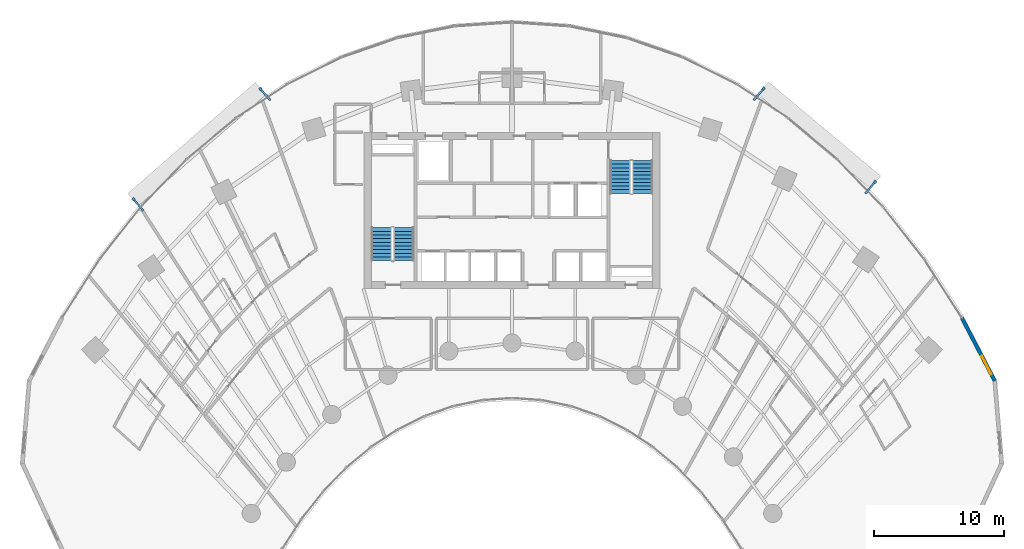
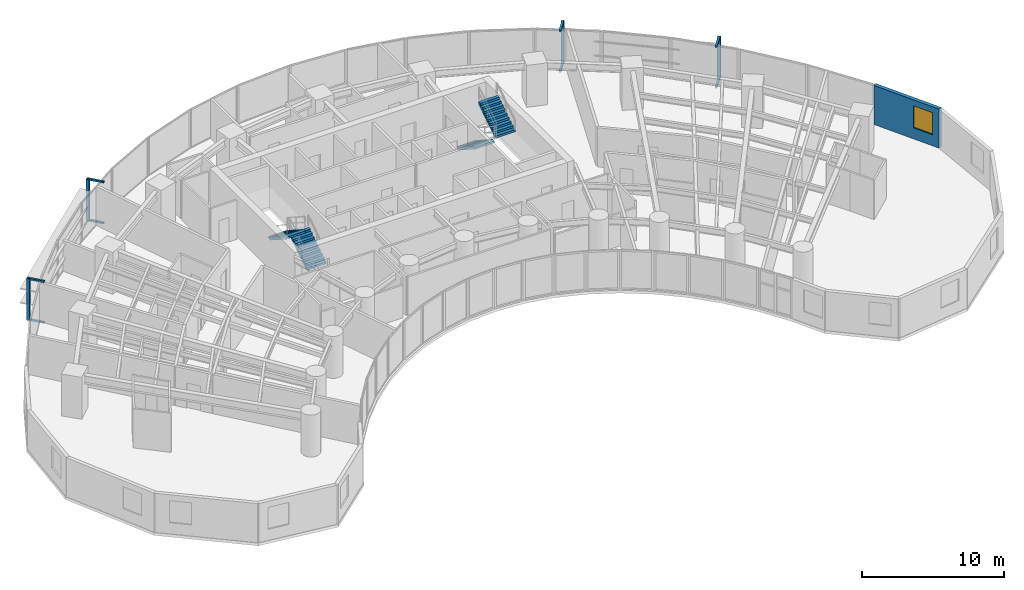
# One storey, part 15 of 17: 12 discrete accessories, 4 stair flights, 1 wall, 1 window, 1 opening, 2 elements without a shape of their own.
"""IFC4 building model written with IfcOpenShell, lengths in metres."""

import ifcopenshell
import ifcopenshell.guid

model = None  # the IFC model being written
_history = None  # IfcOwnerHistory: only IFC2X3 demands one
_inside = {}  # id of a spatial element -> (the spatial element, [elements in it])
_under = {}  # id of a project, library or spatial element -> (it, [spatial elements below it])
_declared = {}  # id of a project -> (the project, [libraries it declares])
_typed = {}  # id of a type object -> (the type object, [elements of that type])
_made_of = {}  # id of a material, layer set ... -> (it, [elements and type objects made of it])


def new_model(schema):
    """Start an empty IFC model of exactly this schema.

    Asked for "IFC4X3", IfcOpenShell would pick the latest addendum, in which some entities
    have other attributes; the version numbers below select the first issue.
    IFC2X3 requires an IfcOwnerHistory on every rooted entity: one is made here for all.
    """
    global model, _history
    if schema == "IFC4X3":
        model = ifcopenshell.file(schema_version=(4, 3, 0, 0))
    else:
        model = ifcopenshell.file(schema=schema)
    _inside.clear()
    _under.clear()
    _declared.clear()
    _typed.clear()
    _made_of.clear()
    _history = None
    if model.schema == "IFC2X3":
        org = make("IfcOrganization", Name="unknown")
        user = make(
            "IfcPersonAndOrganization",
            ThePerson=make("IfcPerson", FamilyName="unknown"),
            TheOrganization=org,
        )
        app = make(
            "IfcApplication",
            ApplicationDeveloper=org,
            Version="unknown",
            ApplicationFullName="unknown",
            ApplicationIdentifier="unknown",
        )
        _history = make(
            "IfcOwnerHistory",
            OwningUser=user,
            OwningApplication=app,
            ChangeAction="ADDED",
            CreationDate=0,
        )
    return model


def make(cls, **values):
    """One entity of the class cls with the attributes given. An attribute that is None is left unset."""
    return model.create_entity(
        cls, **{name: value for name, value in values.items() if value is not None}
    )


def rooted(cls, **values):
    """An entity with a GlobalId (a new one), such as an element, a storey or a relation."""
    return make(cls, GlobalId=ifcopenshell.guid.new(), OwnerHistory=_history, **values)


def si_unit(unit_type, name, prefix=None):
    """IfcSIUnit, for example si_unit("LENGTHUNIT", "METRE", prefix="MILLI")."""
    return make("IfcSIUnit", UnitType=unit_type, Prefix=prefix, Name=name)


def assignment(units):
    """IfcUnitAssignment: the units of a project."""
    return None if units is None else make("IfcUnitAssignment", Units=units)


def point(xyz):
    """IfcCartesianPoint."""
    return None if xyz is None else make("IfcCartesianPoint", Coordinates=xyz)


def direction(xyz):
    """IfcDirection."""
    return None if xyz is None else make("IfcDirection", DirectionRatios=xyz)


def frame(location, z_axis=None, x_axis=None):
    """IfcAxis2Placement3D, a coordinate frame: its origin and axes. An axis left out is left unset."""
    return make(
        "IfcAxis2Placement3D",
        Location=point(location),
        Axis=direction(z_axis),
        RefDirection=direction(x_axis),
    )


def frame_2d(location, x_axis=None):
    """IfcAxis2Placement2D, a coordinate frame in the plane: its origin and x axis."""
    return make(
        "IfcAxis2Placement2D", Location=point(location), RefDirection=direction(x_axis)
    )


def origin():
    """The frame at (0, 0, 0) with its axes left unset."""
    return frame((0.0, 0.0, 0.0))


def origin_2d():
    """The frame at (0, 0) in the plane with its x axis left unset."""
    return frame_2d((0.0, 0.0))


def place(relative_to, where):
    """IfcLocalPlacement: puts the frame where relative to a parent placement (None: the world)."""
    return make(
        "IfcLocalPlacement", PlacementRelTo=relative_to, RelativePlacement=where
    )


def context(
    kind, dimensions, precision=None, world=None, true_north=None, identifier=None
):
    """IfcGeometricRepresentationContext, for example the 3D "Model" context."""
    return make(
        "IfcGeometricRepresentationContext",
        ContextIdentifier=identifier,
        ContextType=kind,
        CoordinateSpaceDimension=dimensions,
        Precision=precision,
        WorldCoordinateSystem=world,
        TrueNorth=true_north,
    )


def subcontext(parent, identifier, kind, view, scale=None):
    """IfcGeometricRepresentationSubContext, for example "Body" below "Model"."""
    return make(
        "IfcGeometricRepresentationSubContext",
        ContextIdentifier=identifier,
        ContextType=kind,
        ParentContext=parent,
        TargetScale=scale,
        TargetView=view,
    )


def project(units=None, contexts=None):
    """IfcProject with its units and contexts."""
    return rooted(
        "IfcProject",
        Name="project",
        RepresentationContexts=contexts,
        UnitsInContext=assignment(units),
    )


def spatial(cls, under=None, at=None, **own):
    """A site, building, storey or space (cls), placed at a placement, below another one or the project."""
    s = rooted(cls, ObjectPlacement=at, **own)
    if under is not None:
        _under.setdefault(under.id(), (under, []))[1].append(s)
    return s


def polyline(points):
    """IfcPolyline through the points."""
    return make("IfcPolyline", Points=[point(p) for p in points])


def profile(cls, at=None, kind="AREA", **sizes):
    """A parametric profile (cls). Its sizes go by their IFC names, for example OverallWidth=200.0."""
    return make(cls, ProfileType=kind, Position=at, **sizes)


def rectangle(**sizes):
    """IfcRectangleProfileDef."""
    return profile("IfcRectangleProfileDef", **sizes)


def outline(outer, holes=None, kind="AREA"):
    """IfcArbitraryClosedProfileDef: a profile drawn as a closed curve; with holes, ...WithVoids."""
    if holes is None:
        return make("IfcArbitraryClosedProfileDef", ProfileType=kind, OuterCurve=outer)
    return make(
        "IfcArbitraryProfileDefWithVoids",
        ProfileType=kind,
        OuterCurve=outer,
        InnerCurves=holes,
    )


def extrude(swept, where, along, depth):
    """IfcExtrudedAreaSolid: the profile swept, set in the frame where, extruded along a direction by depth."""
    return make(
        "IfcExtrudedAreaSolid",
        SweptArea=swept,
        Position=where,
        ExtrudedDirection=direction(along),
        Depth=depth,
    )


def shape(context_of_items, identifier, shape_type, items):
    """IfcShapeRepresentation: the items that make up one representation, for example the "Body"."""
    return make(
        "IfcShapeRepresentation",
        ContextOfItems=context_of_items,
        RepresentationIdentifier=identifier,
        RepresentationType=shape_type,
        Items=items,
    )


def source(mapping_origin, context_of_items, identifier, shape_type, items):
    """IfcRepresentationMap: a shape defined once, which mapped items show again and again."""
    return make(
        "IfcRepresentationMap",
        MappingOrigin=mapping_origin,
        MappedRepresentation=shape(context_of_items, identifier, shape_type, items),
    )


def transform(
    local_origin,
    x_axis=None,
    y_axis=None,
    z_axis=None,
    scale=None,
    scale2=None,
    scale3=None,
    uniform=True,
):
    """IfcCartesianTransformationOperator3D, or its non-uniform kind. x_axis, y_axis, z_axis: its Axis1, 2, 3."""
    if uniform:
        return make(
            "IfcCartesianTransformationOperator3D",
            Axis1=direction(x_axis),
            Axis2=direction(y_axis),
            LocalOrigin=point(local_origin),
            Scale=scale,
            Axis3=direction(z_axis),
        )
    return make(
        "IfcCartesianTransformationOperator3DnonUniform",
        Axis1=direction(x_axis),
        Axis2=direction(y_axis),
        LocalOrigin=point(local_origin),
        Scale=scale,
        Axis3=direction(z_axis),
        Scale2=scale2,
        Scale3=scale3,
    )


def mapped(mapping_source, mapping_target):
    """IfcMappedItem: shows the shape of a source again, moved by a transform."""
    return make(
        "IfcMappedItem", MappingSource=mapping_source, MappingTarget=mapping_target
    )


def material(Name=None, Category=None):
    """IfcMaterial."""
    return make("IfcMaterial", Name=Name, Category=Category)


def layer(
    of_material, thickness, ventilated=None, Name=None, Category=None, Priority=None
):
    """IfcMaterialLayer: one layer of a wall or slab, of a material (None: an air gap)."""
    return make(
        "IfcMaterialLayer",
        Material=of_material,
        LayerThickness=thickness,
        IsVentilated=ventilated,
        Name=Name,
        Category=Category,
        Priority=Priority,
    )


def layer_set(layers, Name=None):
    """IfcMaterialLayerSet."""
    return make("IfcMaterialLayerSet", MaterialLayers=layers, LayerSetName=Name)


def made_of(thing, what):
    """Note that an element or type object is made of a material, layer set ...; save() writes the relation."""
    if what is not None:
        _made_of.setdefault(what.id(), (what, []))[1].append(thing)
    return thing


def type_object(cls, material=None, **own):
    """A type object (cls), such as IfcWallType, which elements share."""
    return made_of(rooted(cls, **own), material)


def type_shapes(of_type, sources):
    """Give a type object the sources (RepresentationMaps) that its elements show as mapped items."""
    of_type.RepresentationMaps = sources


def element(
    cls,
    number,
    at=None,
    inside=None,
    cuts=None,
    type_object=None,
    material=None,
    context=None,
    identifier="Body",
    shape_type=None,
    held_by="IfcProductDefinitionShape",
    body=None,
    shapes=None,
    **own,
):
    """One element of the class cls, such as IfcWall. Its Tag is "e" and its number.

    at: its placement. inside: the storey or other place that contains it. cuts: it is an
    opening in that element (IfcRelVoidsElement). A single representation is given by context,
    identifier, shape_type and body (its items); several are given by shapes. held_by: the class
    of the entity that holds the representations. save() writes the other relations.
    """
    e = rooted(cls, Tag="e%d" % number, ObjectPlacement=at, **own)
    if body is not None:
        shapes = [shape(context, identifier, shape_type, body)]
    if shapes is not None:
        e.Representation = make(held_by, Representations=shapes)
    if inside is not None:
        _inside.setdefault(inside.id(), (inside, []))[1].append(e)
    if cuts is not None:
        rooted(
            "IfcRelVoidsElement", RelatingBuildingElement=cuts, RelatedOpeningElement=e
        )
    if type_object is not None:
        _typed.setdefault(type_object.id(), (type_object, []))[1].append(e)
    return made_of(e, material)


def fill(opening, filler):
    """IfcRelFillsElement: the door or window that sits in an opening."""
    return rooted(
        "IfcRelFillsElement",
        RelatingOpeningElement=opening,
        RelatedBuildingElement=filler,
    )


def aggregate(whole, parts):
    """IfcRelAggregates: a whole, such as a stair, and the parts it consists of."""
    return rooted("IfcRelAggregates", RelatingObject=whole, RelatedObjects=parts)


def save(model, path):
    """Write the relations noted so far, then the file.

    IfcRelAggregates (storeys below a building ...), IfcRelContainedInSpatialStructure (elements
    in a storey), IfcRelDefinesByType, IfcRelAssociatesMaterial and IfcRelDeclares: one each for
    every whole, place, type object, material and project.
    """
    for whole, parts in _under.values():
        aggregate(whole, parts)
    for where, things in _inside.values():
        rooted(
            "IfcRelContainedInSpatialStructure",
            RelatedElements=things,
            RelatingStructure=where,
        )
    for kind, things in _typed.values():
        rooted("IfcRelDefinesByType", RelatedObjects=things, RelatingType=kind)
    for what, things in _made_of.values():
        rooted("IfcRelAssociatesMaterial", RelatedObjects=things, RelatingMaterial=what)
    for by, libraries in _declared.values():
        rooted("IfcRelDeclares", RelatingContext=by, RelatedDefinitions=libraries)
    model.write(path)


model = new_model("IFC4")

# Units and contexts
model_context = context("Model", 3, precision=1e-05, world=origin(), true_north=direction((0.0, 1.0)))
body_context = subcontext(model_context, "Body", "Model", "MODEL_VIEW")
ifc_project = project(units=[si_unit("LENGTHUNIT", "METRE"), si_unit("AREAUNIT", "SQUARE_METRE"), si_unit("VOLUMEUNIT", "CUBIC_METRE"), si_unit("PLANEANGLEUNIT", "RADIAN"), si_unit("MASSUNIT", "GRAM", prefix="KILO")], contexts=[model_context])

# Site, building, storey
site_placement = place(None, origin())
site = spatial("IfcSite", under=ifc_project, at=site_placement, CompositionType="ELEMENT")
building_placement = place(site_placement, origin())
building = spatial("IfcBuilding", under=site, at=building_placement, Name="Breltana Convention Tower", CompositionType="ELEMENT")
storey_placement = place(building_placement, frame((0.0, 0.0, 71.39990234375)))
storey = spatial("IfcBuildingStorey", under=building, at=storey_placement, Name="L16", CompositionType="ELEMENT", Elevation=71.39990234375)

# Wall, opening, window
ifc_material_1 = material(Name="Limestone Buff Insulated Wall", Category="masonry")
ifc_layer = layer(ifc_material_1, 0.280029296875, Name="Limestone Buff Insulated Wall")
ifc_layer_set = layer_set([ifc_layer], Name="Limestone Buff Insulated Wall")
wall_type = type_object("IfcWallType", Name="WL-EXT-NOSE-280", PredefinedType="SOLIDWALL", material=ifc_layer_set)
shared_shape_1 = source(origin(), body_context, "Body", "SweptSolid", [
    extrude(rectangle(XDim=5.45947265625, YDim=0.280029296875, at=frame_2d((2.729736328125, 0.0))), origin(), (0.0, 0.0, 1.0), 3.360107421875),
])
wall_placement = place(storey_placement, frame((82.531982421875, 57.964599609375, 0.0), z_axis=(0.0, 0.0, 1.0), x_axis=(0.461768054321, -0.887000712518, 0.0)))
wall = element("IfcWall", 1, at=wall_placement, inside=storey, type_object=wall_type, Name="L16 curved limestone nose wall E7", PredefinedType="SOLIDWALL", context=body_context, shape_type="MappedRepresentation", body=[
    mapped(shared_shape_1, transform((0.0, 0.0, 0.0), scale=1.0)),
])
opening_placement = place(wall_placement, frame((3.294677734375, 0.0, 0.949951171875)))
opening = element("IfcOpeningElement", 2, at=opening_placement, cuts=wall, Name="Opening W-04", PredefinedType="OPENING", context=body_context, shape_type="SweptSolid", body=[
    extrude(rectangle(XDim=1.60009765625, YDim=1.89990234375, at=frame_2d((0.800048828125, 0.949951171875))), frame((0.0, 0.14990234375, 0.0), z_axis=(0.0, -1.0, 0.0), x_axis=(1.0, 0.0, 0.0)), (0.0, 0.0, 1.0), 0.300048828125),
])
ifc_material_2 = material(Name="Glass Low-E Insulated Window", Category="glass")
window_type = type_object("IfcWindowType", Name="WN-NOSE-1600X1900", PartitioningType="SINGLE_PANEL", PredefinedType="WINDOW", material=ifc_material_2)
shared_shape_2 = source(origin(), body_context, "Body", "SweptSolid", [
    extrude(rectangle(XDim=1.60009765625, YDim=1.89990234375, at=frame_2d((0.800048828125, 0.949951171875))), frame((0.0, 0.030029296875, 0.0), z_axis=(0.0, -1.0, 0.0), x_axis=(1.0, 0.0, 0.0)), (0.0, 0.0, 1.0), 0.06005859375),
])
type_shapes(window_type, [shared_shape_2])
window_placement = place(opening_placement, origin())
window = element("IfcWindow", 3, at=window_placement, inside=storey, type_object=window_type, Name="L16 nose window E7", OverallHeight=1.89990234375, OverallWidth=1.60009765625, PartitioningType="SINGLE_PANEL", PredefinedType="WINDOW", context=body_context, shape_type="MappedRepresentation", body=[
    mapped(shared_shape_2, transform((0.0, 0.0, 0.0), scale=1.0)),
])
fill(opening, window)

# Stair, stair flights
ifc_material_3 = material(Name="Concrete C40/50", Category="concrete")
stair_type = type_object("IfcStairType", Name="ST-DOG-1560-R180", PredefinedType="HALF_TURN_STAIR", material=ifc_material_3)
stair_1_placement = place(storey_placement, origin())
stair_1 = element("IfcStair", 4, at=stair_1_placement, inside=storey, type_object=stair_type, Name="L16 Protected Core Exit Stair ST-1", PredefinedType="HALF_TURN_STAIR")
stair_flight_type = type_object("IfcStairFlightType", Name="STF-DOG-1560-N10-R180", PredefinedType="STRAIGHT", material=ifc_material_3)
stair_flight_1_placement = place(storey_placement, frame((39.68994140625, 62.360107421875, 0.0), z_axis=(0.0, 0.0, 1.0), x_axis=(0.0, 1.0, 0.0)))
stair_flight_1 = element("IfcStairFlight", 5, at=stair_flight_1_placement, type_object=stair_flight_type, Name="ST-1 flight 1", NumberOfRisers=10, NumberOfTreads=9, PredefinedType="STRAIGHT", RiserHeight=0.18, TreadLength=0.28, context=body_context, shape_type="SweptSolid", body=[
    extrude(outline(polyline([(0.0, 0.0), (0.0, 0.179931640625), (0.280029296875, 0.179931640625), (0.280029296875, 0.360107421875), (0.56005859375, 0.360107421875), (0.56005859375, 0.5400390625), (0.840087890625, 0.5400390625), (0.840087890625, 0.719970703125), (1.1201171875, 0.719970703125), (1.1201171875, 0.89990234375), (1.39990234375, 0.89990234375), (1.39990234375, 1.080078125), (1.679931640625, 1.080078125), (1.679931640625, 1.260009765625), (1.9599609375, 1.260009765625), (1.9599609375, 1.43994140625), (2.239990234375, 1.43994140625), (2.239990234375, 1.6201171875), (2.52001953125, 1.6201171875), (2.52001953125, 1.800048828125), (2.52001953125, 1.44189453125), (0.277099609375, 0.0), (0.0, 0.0)])), frame((0.0, 0.780029296875, 0.0), z_axis=(0.0, -1.0, 0.0), x_axis=(1.0, 0.0, 0.0)), (0.0, 0.0, 1.0), 1.56005859375),
])
stair_flight_2_placement = place(storey_placement, frame((37.97998046875, 64.8798828125, 1.800048828125), z_axis=(0.0, 0.0, 1.0), x_axis=(0.0, -1.0, 0.0)))
stair_flight_2 = element("IfcStairFlight", 6, at=stair_flight_2_placement, type_object=stair_flight_type, Name="ST-1 flight 2", NumberOfRisers=10, NumberOfTreads=9, PredefinedType="STRAIGHT", RiserHeight=0.18, TreadLength=0.28, context=body_context, shape_type="SweptSolid", body=[
    extrude(outline(polyline([(0.0, 0.0), (0.0, 0.179931640625), (0.280029296875, 0.179931640625), (0.280029296875, 0.360107421875), (0.56005859375, 0.360107421875), (0.56005859375, 0.5400390625), (0.840087890625, 0.5400390625), (0.840087890625, 0.719970703125), (1.1201171875, 0.719970703125), (1.1201171875, 0.89990234375), (1.39990234375, 0.89990234375), (1.39990234375, 1.080078125), (1.679931640625, 1.080078125), (1.679931640625, 1.260009765625), (1.9599609375, 1.260009765625), (1.9599609375, 1.43994140625), (2.239990234375, 1.43994140625), (2.239990234375, 1.6201171875), (2.52001953125, 1.6201171875), (2.52001953125, 1.800048828125), (2.52001953125, 1.44189453125), (0.277099609375, 0.0), (0.0, 0.0)])), frame((0.0, 0.780029296875, 0.0), z_axis=(0.0, -1.0, 0.0), x_axis=(1.0, 0.0, 0.0)), (0.0, 0.0, 1.0), 1.56005859375),
])
aggregate(stair_1, [stair_flight_1, stair_flight_2])

stair_2_placement = place(storey_placement, origin())
stair_2 = element("IfcStair", 7, at=stair_2_placement, inside=storey, type_object=stair_type, Name="L16 Protected Core Exit Stair ST-2", PredefinedType="HALF_TURN_STAIR")
stair_flight_3_placement = place(storey_placement, frame((56.31005859375, 70.0400390625, 0.0), z_axis=(0.0, 0.0, 1.0), x_axis=(0.0, -1.0, 0.0)))
stair_flight_3 = element("IfcStairFlight", 8, at=stair_flight_3_placement, type_object=stair_flight_type, Name="ST-2 flight 1", NumberOfRisers=10, NumberOfTreads=9, PredefinedType="STRAIGHT", RiserHeight=0.18, TreadLength=0.28, context=body_context, shape_type="SweptSolid", body=[
    extrude(outline(polyline([(0.0, 0.0), (0.0, 0.179931640625), (0.280029296875, 0.179931640625), (0.280029296875, 0.360107421875), (0.56005859375, 0.360107421875), (0.56005859375, 0.5400390625), (0.840087890625, 0.5400390625), (0.840087890625, 0.719970703125), (1.1201171875, 0.719970703125), (1.1201171875, 0.89990234375), (1.39990234375, 0.89990234375), (1.39990234375, 1.080078125), (1.679931640625, 1.080078125), (1.679931640625, 1.260009765625), (1.9599609375, 1.260009765625), (1.9599609375, 1.43994140625), (2.239990234375, 1.43994140625), (2.239990234375, 1.6201171875), (2.52001953125, 1.6201171875), (2.52001953125, 1.800048828125), (2.52001953125, 1.44189453125), (0.277099609375, 0.0), (0.0, 0.0)])), frame((0.0, 0.780029296875, 0.0), z_axis=(0.0, -1.0, 0.0), x_axis=(1.0, 0.0, 0.0)), (0.0, 0.0, 1.0), 1.56005859375),
])
stair_flight_4_placement = place(storey_placement, frame((58.02001953125, 67.52001953125, 1.800048828125), z_axis=(0.0, 0.0, 1.0), x_axis=(0.0, 1.0, 0.0)))
stair_flight_4 = element("IfcStairFlight", 9, at=stair_flight_4_placement, type_object=stair_flight_type, Name="ST-2 flight 2", NumberOfRisers=10, NumberOfTreads=9, PredefinedType="STRAIGHT", RiserHeight=0.18, TreadLength=0.28, context=body_context, shape_type="SweptSolid", body=[
    extrude(outline(polyline([(0.0, 0.0), (0.0, 0.179931640625), (0.280029296875, 0.179931640625), (0.280029296875, 0.360107421875), (0.56005859375, 0.360107421875), (0.56005859375, 0.5400390625), (0.840087890625, 0.5400390625), (0.840087890625, 0.719970703125), (1.1201171875, 0.719970703125), (1.1201171875, 0.89990234375), (1.39990234375, 0.89990234375), (1.39990234375, 1.080078125), (1.679931640625, 1.080078125), (1.679931640625, 1.260009765625), (1.9599609375, 1.260009765625), (1.9599609375, 1.43994140625), (2.239990234375, 1.43994140625), (2.239990234375, 1.6201171875), (2.52001953125, 1.6201171875), (2.52001953125, 1.800048828125), (2.52001953125, 1.44189453125), (0.277099609375, 0.0), (0.0, 0.0)])), frame((0.0, 0.780029296875, 0.0), z_axis=(0.0, -1.0, 0.0), x_axis=(1.0, 0.0, 0.0)), (0.0, 0.0, 1.0), 1.56005859375),
])
aggregate(stair_2, [stair_flight_3, stair_flight_4])

# Discrete accessories
ifc_material_4 = material(Name="Steel S355", Category="steel")
discrete_accessory_type_1 = type_object("IfcDiscreteAccessoryType", Name="ACC-DSF-BRACKET-150", PredefinedType="BRACKET", material=ifc_material_4)
shared_shape_3 = source(origin(), body_context, "Body", "SweptSolid", [
    extrude(rectangle(XDim=1.239990234375, YDim=0.14990234375, at=origin_2d()), origin(), (0.0, 0.0, 1.0), 0.139892578125),
])
type_shapes(discrete_accessory_type_1, [shared_shape_3])
for number, where, z_axis, x_axis, name in (
    (10, (19.310791015625, 66.643798828125, -0.15966796875), (0.0, 0.0, 1.0), (-0.656456838663, 0.754363585397, 0.0), "L16 double-skin slab stand-off bracket 1.1B"),
    (11, (19.310791015625, 66.643798828125, 3.3603515625), (0.0, 0.0, 1.0), (-0.656456838663, 0.754363585397, 0.0), "L16 double-skin slab stand-off bracket 1.1T"),
    (12, (29.052978515625, 75.121337890625, -0.15966796875), (0.0, 0.0, 1.0), (-0.656456838663, 0.754363585397, 0.0), "L16 double-skin slab stand-off bracket 1.2B"),
    (13, (29.052978515625, 75.121337890625, 3.3603515625), (0.0, 0.0, 1.0), (-0.656456838663, 0.754363585397, 0.0), "L16 double-skin slab stand-off bracket 1.2T"),
    (14, (66.954833984375, 75.1435546875, -0.15966796875), (0.0, 0.0, 1.0), (0.641990162706, 0.76671287389, 0.0), "L16 double-skin slab stand-off bracket 2.1B"),
    (15, (66.954833984375, 75.1435546875, 3.3603515625), (0.0, 0.0, 1.0), (0.641990162706, 0.76671287389, 0.0), "L16 double-skin slab stand-off bracket 2.1T"),
    (16, (75.516357421875, 67.974853515625, -0.15966796875), (0.0, 0.0, 1.0), (0.641990162706, 0.76671287389, 0.0), "L16 double-skin slab stand-off bracket 2.2B"),
    (17, (75.516357421875, 67.974853515625, 3.3603515625), (0.0, 0.0, 1.0), (0.641990162706, 0.76671287389, 0.0), "L16 double-skin slab stand-off bracket 2.2T"),
):
    element("IfcDiscreteAccessory", number, at=place(storey_placement, frame(where, z_axis=z_axis, x_axis=x_axis)), inside=storey, type_object=discrete_accessory_type_1, Name=name, PredefinedType="BRACKET", context=body_context, shape_type="MappedRepresentation", body=[
        mapped(shared_shape_3, transform((0.0, 0.0, 0.0), scale=1.0)),
    ])
discrete_accessory_type_2 = type_object("IfcDiscreteAccessoryType", Name="ACC-DSF-CARRIER-150", PredefinedType="BRACKET", material=ifc_material_4)
shared_shape_4 = source(origin(), body_context, "Body", "SweptSolid", [
    extrude(rectangle(XDim=0.219970703125, YDim=0.219970703125, at=origin_2d()), origin(), (0.0, 0.0, 1.0), 3.580078125),
])
for number, where, z_axis, x_axis, name in (
    (18, (18.943115234375, 67.066162109375, -0.119873046875), (0.0, 0.0, 1.0), (-0.656456838663, 0.754363585397, 0.0), "L16 double-skin outer vertical carrier 1.1"),
    (19, (28.685302734375, 75.5439453125, -0.119873046875), (0.0, 0.0, 1.0), (-0.656456838663, 0.754363585397, 0.0), "L16 double-skin outer vertical carrier 1.2"),
    (20, (67.314453125, 75.57275390625, -0.119873046875), (0.0, 0.0, 1.0), (0.641990162706, 0.76671287389, 0.0), "L16 double-skin outer vertical carrier 2.1"),
    (21, (75.875732421875, 68.404052734375, -0.119873046875), (0.0, 0.0, 1.0), (0.641990162706, 0.76671287389, 0.0), "L16 double-skin outer vertical carrier 2.2"),
):
    element("IfcDiscreteAccessory", number, at=place(storey_placement, frame(where, z_axis=z_axis, x_axis=x_axis)), inside=storey, type_object=discrete_accessory_type_2, Name=name, PredefinedType="BRACKET", context=body_context, shape_type="MappedRepresentation", body=[
        mapped(shared_shape_4, transform((0.0, 0.0, 0.0), scale=1.0)),
    ])

save(model, "model.ifc")
